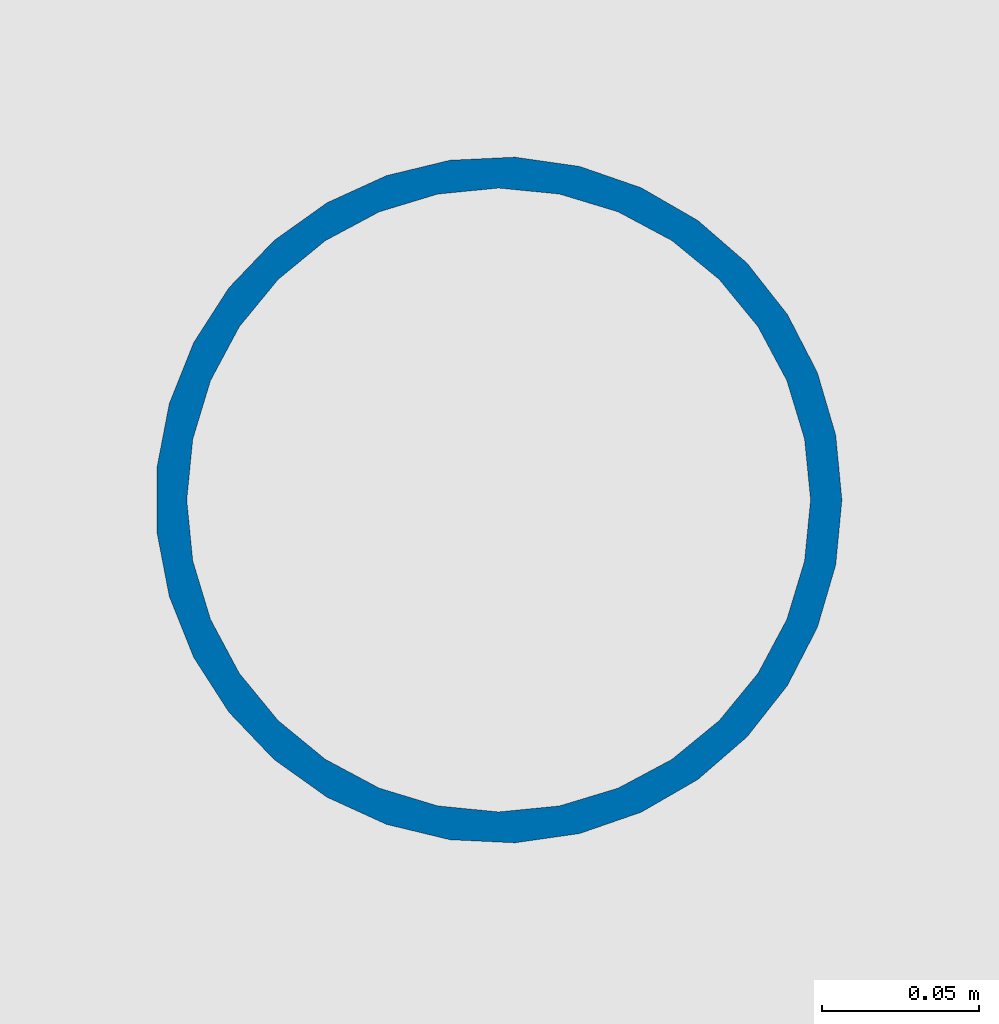
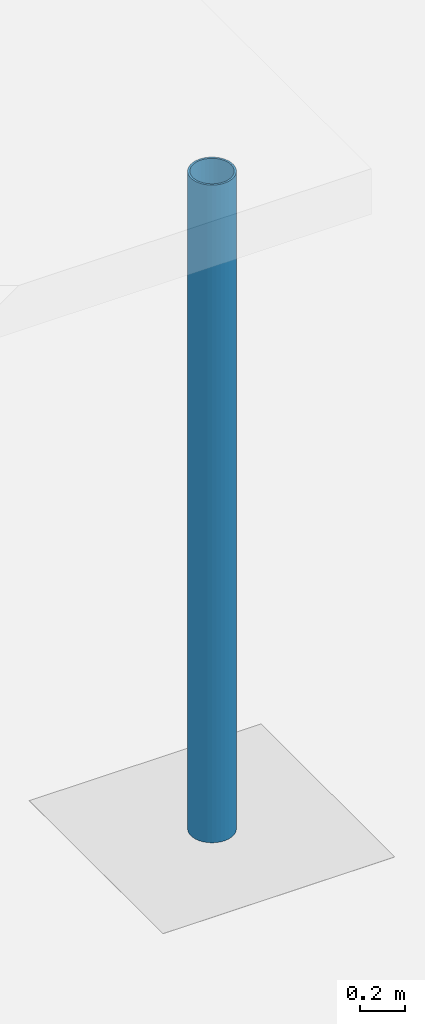
# One storey, part 4 of 32: 1 column.
"""IFC4 building model written with IfcOpenShell, lengths in metres."""

from ifc_helpers import new_model, si_unit, direction, frame, origin, origin_2d, place, context, subcontext, project, spatial, hollow_circle, extrude, material, material_profile, profile_set, type_object, element, save


model = new_model("IFC4")

# Units and contexts
model_context = context("Model", 3, precision=1e-05, world=origin(), true_north=direction((0.0, 1.0)))
body_context = subcontext(model_context, "Body", "Model", "MODEL_VIEW")
ifc_project = project(units=[si_unit("LENGTHUNIT", "METRE"), si_unit("AREAUNIT", "SQUARE_METRE"), si_unit("VOLUMEUNIT", "CUBIC_METRE"), si_unit("PLANEANGLEUNIT", "RADIAN"), si_unit("MASSUNIT", "GRAM", prefix="KILO")], contexts=[model_context])

# Site, building, storey
site_placement = place(None, origin())
site = spatial("IfcSite", under=ifc_project, at=site_placement, CompositionType="ELEMENT")
building_placement = place(site_placement, origin())
building = spatial("IfcBuilding", under=site, at=building_placement, Name="Kawkab Arch Medical Tower", CompositionType="ELEMENT")
storey_placement = place(building_placement, origin())
storey = spatial("IfcBuildingStorey", under=building, at=storey_placement, Name="L01", CompositionType="ELEMENT", Elevation=0.0)

# Column
ifc_material = material(Name="Steel S355", Category="steel")
ifc_material_profile = material_profile(ifc_material, hollow_circle(Radius=0.109619140625, WallThickness=0.010009765625, at=origin_2d()), Name="CHS 219.1x10")
ifc_profile_set = profile_set([ifc_material_profile], Name="Steel S355")
column_type = type_object("IfcColumnType", Name="Canopy column CHS 219.1x10", PredefinedType="COLUMN", material=ifc_profile_set)
column_placement = place(storey_placement, frame((37.64990234375, -57.449951171875, 0.0), z_axis=(0.0, 0.0, 1.0), x_axis=(1.0, 0.0, 0.0)))
element("IfcColumn", 1, at=column_placement, inside=storey, type_object=column_type, Name="Canopy, emergency department walk-in entrance column 1", PredefinedType="COLUMN", context=body_context, shape_type="SweptSolid", body=[
    extrude(hollow_circle(Radius=0.109619140625, WallThickness=0.010009765625, at=origin_2d()), origin(), (0.0, 0.0, 1.0), 3.60009765625),
])

save(model, "model.ifc")
